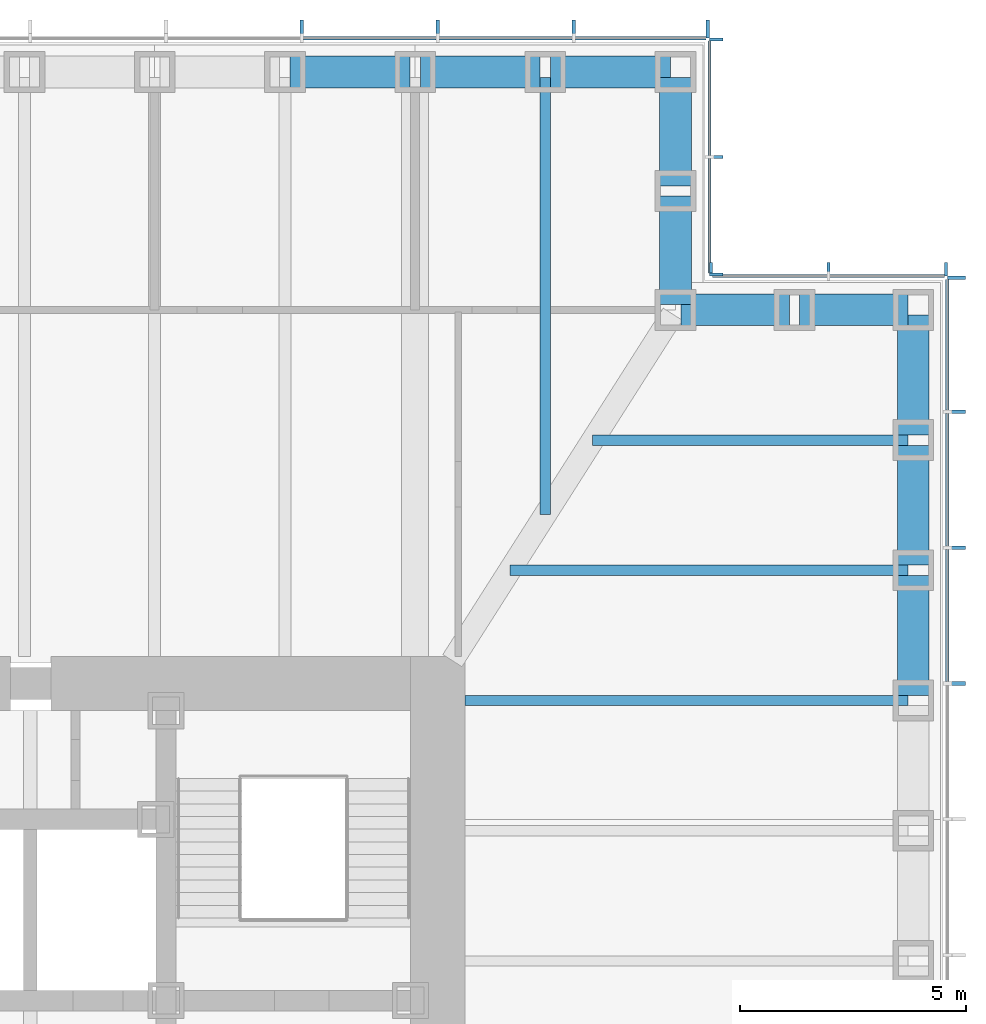
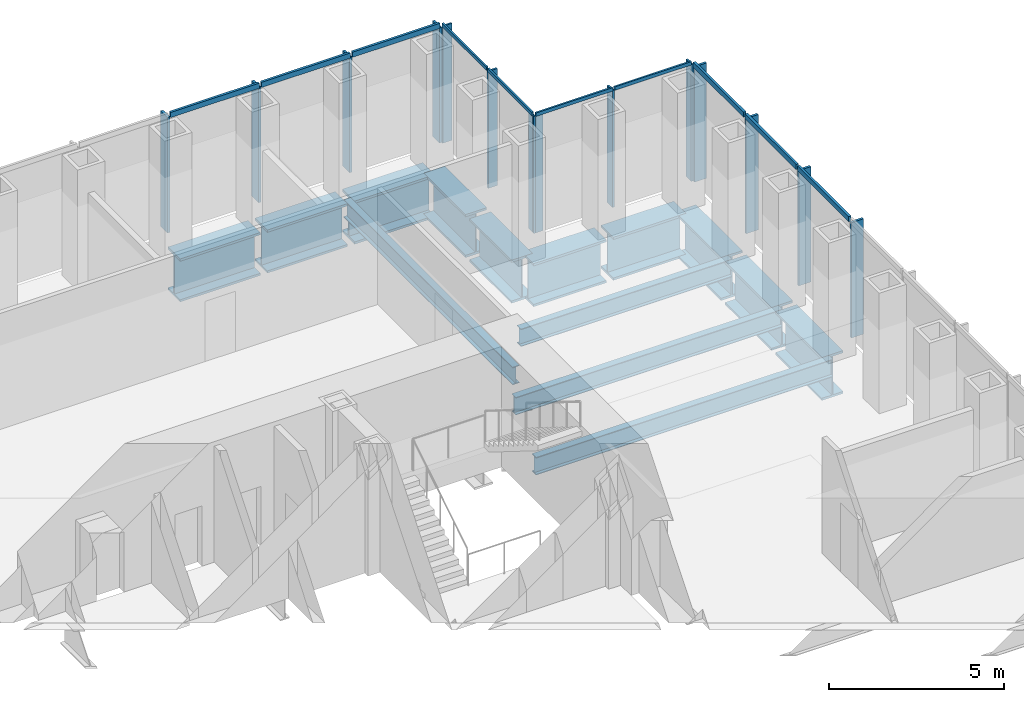
# One storey, part 6 of 17: 24 members, 14 beams, 4 elements without a shape of their own.
"""IFC4 building model written with IfcOpenShell, lengths in metres."""

from ifc_helpers import new_model, si_unit, direction, frame, origin, origin_2d, place, context, subcontext, project, spatial, rectangle, i_section, extrude, material, material_profile, profile_set, type_object, element, aggregate, save


model = new_model("IFC4")

# Units and contexts
model_context = context("Model", 3, precision=1e-05, world=origin(), true_north=direction((0.0, 1.0)))
body_context = subcontext(model_context, "Body", "Model", "MODEL_VIEW")
ifc_project = project(units=[si_unit("LENGTHUNIT", "METRE"), si_unit("AREAUNIT", "SQUARE_METRE"), si_unit("VOLUMEUNIT", "CUBIC_METRE"), si_unit("PLANEANGLEUNIT", "RADIAN"), si_unit("MASSUNIT", "GRAM", prefix="KILO")], contexts=[model_context])

# Site, building, storey
site_placement = place(None, origin())
site = spatial("IfcSite", under=ifc_project, at=site_placement, CompositionType="ELEMENT")
building_placement = place(site_placement, origin())
building = spatial("IfcBuilding", under=site, at=building_placement, Name="Daluyong Arena Tower", CompositionType="ELEMENT")
storey_placement = place(building_placement, frame((0.0, 0.0, 166.89990234375)))
storey = spatial("IfcBuildingStorey", under=building, at=storey_placement, Name="L37", CompositionType="ELEMENT", Elevation=166.89990234375)

# Curtain wall, members
ifc_material_1 = material(Name="Bronze anodised aluminium and glass", Category="aluminium")
curtain_wall_type_1 = type_object("IfcCurtainWallType", Name="Curtain wall CW2", PredefinedType="USERDEFINED", material=ifc_material_1)
curtain_wall_1_placement = place(storey_placement, origin())
curtain_wall_1 = element("IfcCurtainWall", 1, at=curtain_wall_1_placement, inside=storey, type_object=curtain_wall_type_1, Name="curtain wall L37 E", ObjectType="UNITISED CURTAIN WALL", PredefinedType="USERDEFINED")
ifc_material_2 = material(Name="Bronze anodised aluminium fin", Category="aluminium")
ifc_material_profile_1 = material_profile(ifc_material_2, rectangle(XDim=0.39990234375, YDim=0.080078125, at=origin_2d()))
ifc_profile_set_1 = profile_set([ifc_material_profile_1], Name="Bronze anodised aluminium fin")
member_type_1 = type_object("IfcMemberType", Name="CW2 bronze fin 400x80", PredefinedType="MULLION", material=ifc_profile_set_1)
member_1_placement = place(storey_placement, frame((79.449951171875, 89.0, 0.0), z_axis=(0.0, 0.0, 1.0), x_axis=(-1.0, 0.0, 0.0)))
member_1 = element("IfcMember", 2, at=member_1_placement, type_object=member_type_1, Name="curtain wall L37 E fin 10", PredefinedType="MULLION", context=body_context, shape_type="SweptSolid", body=[
    extrude(rectangle(XDim=0.39990234375, YDim=0.080078125, at=origin_2d()), origin(), (0.0, 0.0, 1.0), 4.02001953125),
])
member_2_placement = place(storey_placement, frame((79.449951171875, 92.0, 0.0), z_axis=(0.0, 0.0, 1.0), x_axis=(-1.0, 0.0, 0.0)))
member_2 = element("IfcMember", 3, at=member_2_placement, type_object=member_type_1, Name="curtain wall L37 E fin 11", PredefinedType="MULLION", context=body_context, shape_type="SweptSolid", body=[
    extrude(rectangle(XDim=0.39990234375, YDim=0.080078125, at=origin_2d()), origin(), (0.0, 0.0, 1.0), 4.02001953125),
])
member_3_placement = place(storey_placement, frame((79.449951171875, 95.0, 0.0), z_axis=(0.0, 0.0, 1.0), x_axis=(-1.0, 0.0, 0.0)))
member_3 = element("IfcMember", 4, at=member_3_placement, type_object=member_type_1, Name="curtain wall L37 E fin 12", PredefinedType="MULLION", context=body_context, shape_type="SweptSolid", body=[
    extrude(rectangle(XDim=0.39990234375, YDim=0.080078125, at=origin_2d()), origin(), (0.0, 0.0, 1.0), 4.02001953125),
])
member_4_placement = place(storey_placement, frame((79.449951171875, 97.9599609375, 0.0), z_axis=(0.0, 0.0, 1.0), x_axis=(-1.0, 0.0, 0.0)))
member_4 = element("IfcMember", 5, at=member_4_placement, type_object=member_type_1, Name="curtain wall L37 E fin 13", PredefinedType="MULLION", context=body_context, shape_type="SweptSolid", body=[
    extrude(rectangle(XDim=0.39990234375, YDim=0.080078125, at=origin_2d()), origin(), (0.0, 0.0, 1.0), 4.02001953125),
])

curtain_wall_2_placement = place(storey_placement, origin())
curtain_wall_2 = element("IfcCurtainWall", 6, at=curtain_wall_2_placement, inside=storey, type_object=curtain_wall_type_1, Name="curtain wall L37 N", ObjectType="UNITISED CURTAIN WALL", PredefinedType="USERDEFINED")
member_5_placement = place(storey_placement, frame((73.9599609375, 103.449951171875, 0.0), z_axis=(0.0, 0.0, 1.0), x_axis=(0.0, -1.0, 0.0)))
member_5 = element("IfcMember", 7, at=member_5_placement, type_object=member_type_1, Name="curtain wall L37 N fin 1", PredefinedType="MULLION", context=body_context, shape_type="SweptSolid", body=[
    extrude(rectangle(XDim=0.39990234375, YDim=0.080078125, at=origin_2d()), origin(), (0.0, 0.0, 1.0), 4.02001953125),
])
member_6_placement = place(storey_placement, frame((71.0, 103.449951171875, 0.0), z_axis=(0.0, 0.0, 1.0), x_axis=(0.0, -1.0, 0.0)))
member_6 = element("IfcMember", 8, at=member_6_placement, type_object=member_type_1, Name="curtain wall L37 N fin 2", PredefinedType="MULLION", context=body_context, shape_type="SweptSolid", body=[
    extrude(rectangle(XDim=0.39990234375, YDim=0.080078125, at=origin_2d()), origin(), (0.0, 0.0, 1.0), 4.02001953125),
])
member_7_placement = place(storey_placement, frame((68.0, 103.449951171875, 0.0), z_axis=(0.0, 0.0, 1.0), x_axis=(0.0, -1.0, 0.0)))
member_7 = element("IfcMember", 9, at=member_7_placement, type_object=member_type_1, Name="curtain wall L37 N fin 3", PredefinedType="MULLION", context=body_context, shape_type="SweptSolid", body=[
    extrude(rectangle(XDim=0.39990234375, YDim=0.080078125, at=origin_2d()), origin(), (0.0, 0.0, 1.0), 4.02001953125),
])
member_8_placement = place(storey_placement, frame((65.0, 103.449951171875, 0.0), z_axis=(0.0, 0.0, 1.0), x_axis=(0.0, -1.0, 0.0)))
member_8 = element("IfcMember", 10, at=member_8_placement, type_object=member_type_1, Name="curtain wall L37 N fin 4", PredefinedType="MULLION", context=body_context, shape_type="SweptSolid", body=[
    extrude(rectangle(XDim=0.39990234375, YDim=0.080078125, at=origin_2d()), origin(), (0.0, 0.0, 1.0), 4.02001953125),
])

# Member
ifc_material_3 = material(Name="Bronze anodised aluminium", Category="aluminium")
ifc_material_profile_2 = material_profile(ifc_material_3, rectangle(XDim=0.080078125, YDim=0.179931640625, at=origin_2d()))
ifc_profile_set_2 = profile_set([ifc_material_profile_2], Name="Bronze anodised aluminium")
member_type_2 = type_object("IfcMemberType", Name="CW2 stack transom 180x80", PredefinedType="USERDEFINED", material=ifc_profile_set_2)
member_9_placement = place(storey_placement, frame((79.25, 89.0400390625, 4.110107421875), z_axis=(0.0, 1.0, 0.0), x_axis=(-1.0, 0.0, 0.0)))
member_9 = element("IfcMember", 11, at=member_9_placement, type_object=member_type_2, Name="curtain wall L37 E transom 10", ObjectType="TRANSOM", PredefinedType="USERDEFINED", context=body_context, shape_type="SweptSolid", body=[
    extrude(rectangle(XDim=0.080078125, YDim=0.179931640625, at=origin_2d()), origin(), (0.0, 0.0, 1.0), 2.919921875),
])

member_10_placement = place(storey_placement, frame((79.25, 92.0400390625, 4.110107421875), z_axis=(0.0, 1.0, 0.0), x_axis=(-1.0, 0.0, 0.0)))
member_10 = element("IfcMember", 12, at=member_10_placement, type_object=member_type_2, Name="curtain wall L37 E transom 11", ObjectType="TRANSOM", PredefinedType="USERDEFINED", context=body_context, shape_type="SweptSolid", body=[
    extrude(rectangle(XDim=0.080078125, YDim=0.179931640625, at=origin_2d()), origin(), (0.0, 0.0, 1.0), 2.919921875),
])

member_11_placement = place(storey_placement, frame((79.25, 95.0400390625, 4.110107421875), z_axis=(0.0, 1.0, 0.0), x_axis=(-1.0, 0.0, 0.0)))
member_11 = element("IfcMember", 13, at=member_11_placement, type_object=member_type_2, Name="curtain wall L37 E transom 12", ObjectType="TRANSOM", PredefinedType="USERDEFINED", context=body_context, shape_type="SweptSolid", body=[
    extrude(rectangle(XDim=0.080078125, YDim=0.179931640625, at=origin_2d()), origin(), (0.0, 0.0, 1.0), 2.8798828125),
])

aggregate(curtain_wall_1, [member_1, member_2, member_3, member_4, member_9, member_10, member_11])

member_12_placement = place(storey_placement, frame((73.919921875, 103.25, 4.110107421875), z_axis=(-1.0, 0.0, 0.0), x_axis=(0.0, -1.0, 0.0)))
member_12 = element("IfcMember", 14, at=member_12_placement, type_object=member_type_2, Name="curtain wall L37 N transom 1", ObjectType="TRANSOM", PredefinedType="USERDEFINED", context=body_context, shape_type="SweptSolid", body=[
    extrude(rectangle(XDim=0.080078125, YDim=0.179931640625, at=origin_2d()), origin(), (0.0, 0.0, 1.0), 2.8798828125),
])

member_13_placement = place(storey_placement, frame((70.9599609375, 103.25, 4.110107421875), z_axis=(-1.0, 0.0, 0.0), x_axis=(0.0, -1.0, 0.0)))
member_13 = element("IfcMember", 15, at=member_13_placement, type_object=member_type_2, Name="curtain wall L37 N transom 2", ObjectType="TRANSOM", PredefinedType="USERDEFINED", context=body_context, shape_type="SweptSolid", body=[
    extrude(rectangle(XDim=0.080078125, YDim=0.179931640625, at=origin_2d()), origin(), (0.0, 0.0, 1.0), 2.919921875),
])

member_14_placement = place(storey_placement, frame((67.9599609375, 103.25, 4.110107421875), z_axis=(-1.0, 0.0, 0.0), x_axis=(0.0, -1.0, 0.0)))
member_14 = element("IfcMember", 16, at=member_14_placement, type_object=member_type_2, Name="curtain wall L37 N transom 3", ObjectType="TRANSOM", PredefinedType="USERDEFINED", context=body_context, shape_type="SweptSolid", body=[
    extrude(rectangle(XDim=0.080078125, YDim=0.179931640625, at=origin_2d()), origin(), (0.0, 0.0, 1.0), 2.919921875),
])

aggregate(curtain_wall_2, [member_5, member_6, member_7, member_8, member_12, member_13, member_14])

# Curtain wall, members
ifc_material_4 = material(Name="Bronze anodised aluminium and glass", Category="aluminium")
curtain_wall_type_2 = type_object("IfcCurtainWallType", Name="Curtain wall CW7", PredefinedType="USERDEFINED", material=ifc_material_4)
curtain_wall_3_placement = place(storey_placement, origin())
curtain_wall_3 = element("IfcCurtainWall", 17, at=curtain_wall_3_placement, inside=storey, type_object=curtain_wall_type_2, Name="curtain wall L37 NE-N", ObjectType="UNITISED CURTAIN WALL", PredefinedType="USERDEFINED")
ifc_material_5 = material(Name="Bronze anodised aluminium fin", Category="aluminium")
ifc_material_profile_3 = material_profile(ifc_material_5, rectangle(XDim=0.300048828125, YDim=0.06005859375, at=origin_2d()))
ifc_profile_set_3 = profile_set([ifc_material_profile_3], Name="Bronze anodised aluminium fin")
member_type_3 = type_object("IfcMemberType", Name="CW7 bronze fin 300x60", PredefinedType="MULLION", material=ifc_profile_set_3)
member_15_placement = place(storey_placement, frame((79.219970703125, 98.14990234375, 0.0), z_axis=(0.0, 0.0, 1.0), x_axis=(0.0, -1.0, 0.0)))
member_15 = element("IfcMember", 18, at=member_15_placement, type_object=member_type_3, Name="curtain wall L37 NE-N fin 1", PredefinedType="MULLION", context=body_context, shape_type="SweptSolid", body=[
    extrude(rectangle(XDim=0.300048828125, YDim=0.06005859375, at=origin_2d()), origin(), (0.0, 0.0, 1.0), 4.080078125),
])
member_16_placement = place(storey_placement, frame((76.625, 98.14990234375, 0.0), z_axis=(0.0, 0.0, 1.0), x_axis=(0.0, -1.0, 0.0)))
member_16 = element("IfcMember", 19, at=member_16_placement, type_object=member_type_3, Name="curtain wall L37 NE-N fin 2", PredefinedType="MULLION", context=body_context, shape_type="SweptSolid", body=[
    extrude(rectangle(XDim=0.300048828125, YDim=0.06005859375, at=origin_2d()), origin(), (0.0, 0.0, 1.0), 4.080078125),
])
member_17_placement = place(storey_placement, frame((74.030029296875, 98.14990234375, 0.0), z_axis=(0.0, 0.0, 1.0), x_axis=(0.0, -1.0, 0.0)))
member_17 = element("IfcMember", 20, at=member_17_placement, type_object=member_type_3, Name="curtain wall L37 NE-N fin 3", PredefinedType="MULLION", context=body_context, shape_type="SweptSolid", body=[
    extrude(rectangle(XDim=0.300048828125, YDim=0.06005859375, at=origin_2d()), origin(), (0.0, 0.0, 1.0), 4.080078125),
])

curtain_wall_4_placement = place(storey_placement, origin())
curtain_wall_4 = element("IfcCurtainWall", 21, at=curtain_wall_4_placement, inside=storey, type_object=curtain_wall_type_2, Name="curtain wall L37 NE-E", ObjectType="UNITISED CURTAIN WALL", PredefinedType="USERDEFINED")
member_18_placement = place(storey_placement, frame((74.14990234375, 98.030029296875, 0.0), z_axis=(0.0, 0.0, 1.0), x_axis=(-1.0, 0.0, 0.0)))
member_18 = element("IfcMember", 22, at=member_18_placement, type_object=member_type_3, Name="curtain wall L37 NE-E fin 1", PredefinedType="MULLION", context=body_context, shape_type="SweptSolid", body=[
    extrude(rectangle(XDim=0.300048828125, YDim=0.06005859375, at=origin_2d()), origin(), (0.0, 0.0, 1.0), 4.080078125),
])
member_19_placement = place(storey_placement, frame((74.14990234375, 100.625, 0.0), z_axis=(0.0, 0.0, 1.0), x_axis=(-1.0, 0.0, 0.0)))
member_19 = element("IfcMember", 23, at=member_19_placement, type_object=member_type_3, Name="curtain wall L37 NE-E fin 2", PredefinedType="MULLION", context=body_context, shape_type="SweptSolid", body=[
    extrude(rectangle(XDim=0.300048828125, YDim=0.06005859375, at=origin_2d()), origin(), (0.0, 0.0, 1.0), 4.080078125),
])
member_20_placement = place(storey_placement, frame((74.14990234375, 103.219970703125, 0.0), z_axis=(0.0, 0.0, 1.0), x_axis=(-1.0, 0.0, 0.0)))
member_20 = element("IfcMember", 24, at=member_20_placement, type_object=member_type_3, Name="curtain wall L37 NE-E fin 3", PredefinedType="MULLION", context=body_context, shape_type="SweptSolid", body=[
    extrude(rectangle(XDim=0.300048828125, YDim=0.06005859375, at=origin_2d()), origin(), (0.0, 0.0, 1.0), 4.080078125),
])

# Member
ifc_material_6 = material(Name="Bronze anodised aluminium", Category="aluminium")
ifc_material_profile_4 = material_profile(ifc_material_6, rectangle(XDim=0.06005859375, YDim=0.1201171875, at=origin_2d()))
ifc_profile_set_4 = profile_set([ifc_material_profile_4], Name="Bronze anodised aluminium")
member_type_4 = type_object("IfcMemberType", Name="CW7 stack transom 120x60", PredefinedType="USERDEFINED", material=ifc_profile_set_4)
member_21_placement = place(storey_placement, frame((79.18994140625, 98.0, 4.14013671875), z_axis=(-1.0, 0.0, 0.0), x_axis=(0.0, -1.0, 0.0)))
member_21 = element("IfcMember", 25, at=member_21_placement, type_object=member_type_4, Name="curtain wall L37 NE-N transom 1", ObjectType="TRANSOM", PredefinedType="USERDEFINED", context=body_context, shape_type="SweptSolid", body=[
    extrude(rectangle(XDim=0.06005859375, YDim=0.1201171875, at=origin_2d()), origin(), (0.0, 0.0, 1.0), 2.534912109375),
])

member_22_placement = place(storey_placement, frame((76.594970703125, 98.0, 4.14013671875), z_axis=(-1.0, 0.0, 0.0), x_axis=(0.0, -1.0, 0.0)))
member_22 = element("IfcMember", 26, at=member_22_placement, type_object=member_type_4, Name="curtain wall L37 NE-N transom 2", ObjectType="TRANSOM", PredefinedType="USERDEFINED", context=body_context, shape_type="SweptSolid", body=[
    extrude(rectangle(XDim=0.06005859375, YDim=0.1201171875, at=origin_2d()), origin(), (0.0, 0.0, 1.0), 2.534912109375),
])

aggregate(curtain_wall_3, [member_15, member_16, member_17, member_21, member_22])

member_23_placement = place(storey_placement, frame((74.0, 98.06005859375, 4.14013671875), z_axis=(0.0, 1.0, 0.0), x_axis=(-1.0, 0.0, 0.0)))
member_23 = element("IfcMember", 27, at=member_23_placement, type_object=member_type_4, Name="curtain wall L37 NE-E transom 1", ObjectType="TRANSOM", PredefinedType="USERDEFINED", context=body_context, shape_type="SweptSolid", body=[
    extrude(rectangle(XDim=0.06005859375, YDim=0.1201171875, at=origin_2d()), origin(), (0.0, 0.0, 1.0), 2.534912109375),
])

member_24_placement = place(storey_placement, frame((74.0, 100.655029296875, 4.14013671875), z_axis=(0.0, 1.0, 0.0), x_axis=(-1.0, 0.0, 0.0)))
member_24 = element("IfcMember", 28, at=member_24_placement, type_object=member_type_4, Name="curtain wall L37 NE-E transom 2", ObjectType="TRANSOM", PredefinedType="USERDEFINED", context=body_context, shape_type="SweptSolid", body=[
    extrude(rectangle(XDim=0.06005859375, YDim=0.1201171875, at=origin_2d()), origin(), (0.0, 0.0, 1.0), 2.534912109375),
])

aggregate(curtain_wall_4, [member_18, member_19, member_20, member_23, member_24])

# Beams
ifc_material_7 = material(Name="Steel ASTM A992 Grade 50", Category="steel")
ifc_material_profile_5 = material_profile(ifc_material_7, i_section(OverallWidth=0.22900390625, OverallDepth=0.612060546875, WebThickness=0.011962890625, FlangeThickness=0.01953125, at=origin_2d()))
ifc_profile_set_5 = profile_set([ifc_material_profile_5], Name="Steel ASTM A992 Grade 50")
beam_type_1 = type_object("IfcBeamType", Name="Floor beam W24X84", PredefinedType="BEAM", material=ifc_profile_set_5)
beam_1_placement = place(storey_placement, frame((78.385009765625, 88.625, -0.466064453125), z_axis=(-1.0, 0.0, 0.0), x_axis=(0.0, -1.0, 0.0)))
element("IfcBeam", 29, at=beam_1_placement, inside=storey, type_object=beam_type_1, Name="floor beam FB3", PredefinedType="BEAM", context=body_context, shape_type="SweptSolid", body=[
    extrude(i_section(OverallWidth=0.22900390625, OverallDepth=0.612060546875, WebThickness=0.011962890625, FlangeThickness=0.01953125, at=origin_2d()), origin(), (0.0, 0.0, 1.0), 9.784912109375),
])
beam_2_placement = place(storey_placement, frame((78.385009765625, 91.5, -0.466064453125), z_axis=(-1.0, 0.0, 0.0), x_axis=(0.0, -1.0, 0.0)))
element("IfcBeam", 30, at=beam_2_placement, inside=storey, type_object=beam_type_1, Name="floor beam FB3", PredefinedType="BEAM", context=body_context, shape_type="SweptSolid", body=[
    extrude(i_section(OverallWidth=0.22900390625, OverallDepth=0.612060546875, WebThickness=0.011962890625, FlangeThickness=0.01953125, at=origin_2d()), origin(), (0.0, 0.0, 1.0), 8.794189453125),
])
beam_3_placement = place(storey_placement, frame((78.385009765625, 94.375, -0.466064453125), z_axis=(-1.0, 0.0, 0.0), x_axis=(0.0, -1.0, 0.0)))
element("IfcBeam", 31, at=beam_3_placement, inside=storey, type_object=beam_type_1, Name="floor beam FB3", PredefinedType="BEAM", context=body_context, shape_type="SweptSolid", body=[
    extrude(i_section(OverallWidth=0.22900390625, OverallDepth=0.612060546875, WebThickness=0.011962890625, FlangeThickness=0.01953125, at=origin_2d()), origin(), (0.0, 0.0, 1.0), 6.964599609375),
])
beam_4_placement = place(storey_placement, frame((70.375, 102.385009765625, -0.466064453125), z_axis=(0.0, -1.0, 0.0), x_axis=(1.0, 0.0, 0.0)))
element("IfcBeam", 32, at=beam_4_placement, inside=storey, type_object=beam_type_1, Name="floor beam FB3", PredefinedType="BEAM", context=body_context, shape_type="SweptSolid", body=[
    extrude(i_section(OverallWidth=0.22900390625, OverallDepth=0.612060546875, WebThickness=0.011962890625, FlangeThickness=0.01953125, at=origin_2d()), origin(), (0.0, 0.0, 1.0), 9.65283203125),
])
ifc_material_8 = material(Name="Steel ASTM A572 Grade 50", Category="steel")
ifc_material_profile_6 = material_profile(ifc_material_8, i_section(OverallWidth=0.699951171875, OverallDepth=1.5, WebThickness=0.04, FlangeThickness=0.08, at=origin_2d()))
ifc_profile_set_6 = profile_set([ifc_material_profile_6], Name="Steel ASTM A572 Grade 50")
beam_type_2 = type_object("IfcBeamType", Name="Spandrel Z2 PG1500X700", PredefinedType="SPANDREL", material=ifc_profile_set_6)
for number, where, z_axis, x_axis, name in (
    (33, (78.5, 88.739990234375, -0.909912109375), (0.0, 1.0, 0.0), (-1.0, 0.0, 0.0), "spandrel z2 SB6"),
    (34, (78.5, 91.614990234375, -0.909912109375), (0.0, 1.0, 0.0), (-1.0, 0.0, 0.0), "spandrel z2 SB6"),
    (35, (78.5, 94.489990234375, -0.909912109375), (0.0, 1.0, 0.0), (-1.0, 0.0, 0.0), "spandrel z2 SB6"),
):
    element("IfcBeam", number, at=place(storey_placement, frame(where, z_axis=z_axis, x_axis=x_axis)), inside=storey, type_object=beam_type_2, Name=name, PredefinedType="SPANDREL", context=body_context, shape_type="SweptSolid", body=[
        extrude(i_section(OverallWidth=0.699951171875, OverallDepth=1.5, WebThickness=0.04, FlangeThickness=0.08, at=origin_2d()), origin(), (0.0, 0.0, 1.0), 2.64501953125),
    ])
for number, where, z_axis, x_axis, name in (
    (36, (78.385009765625, 97.25, -0.909912109375), (-1.0, 0.0, 0.0), (0.0, -1.0, 0.0), "spandrel z2 SB6"),
    (37, (75.760009765625, 97.25, -0.909912109375), (-1.0, 0.0, 0.0), (0.0, -1.0, 0.0), "spandrel z2 SB6"),
    (38, (73.25, 97.364990234375, -0.909912109375), (0.0, 1.0, 0.0), (-1.0, 0.0, 0.0), "spandrel z2 SB6"),
    (39, (73.25, 99.989990234375, -0.909912109375), (0.0, 1.0, 0.0), (-1.0, 0.0, 0.0), "spandrel z2 SB6"),
):
    element("IfcBeam", number, at=place(storey_placement, frame(where, z_axis=z_axis, x_axis=x_axis)), inside=storey, type_object=beam_type_2, Name=name, PredefinedType="SPANDREL", context=body_context, shape_type="SweptSolid", body=[
        extrude(i_section(OverallWidth=0.699951171875, OverallDepth=1.5, WebThickness=0.04, FlangeThickness=0.08, at=origin_2d()), origin(), (0.0, 0.0, 1.0), 2.39501953125),
    ])
for number, where, z_axis, x_axis, name in (
    (40, (73.135009765625, 102.5, -0.909912109375), (-1.0, 0.0, 0.0), (0.0, -1.0, 0.0), "spandrel z2 SB6"),
    (41, (70.260009765625, 102.5, -0.909912109375), (-1.0, 0.0, 0.0), (0.0, -1.0, 0.0), "spandrel z2 SB6"),
    (42, (67.385009765625, 102.5, -0.909912109375), (-1.0, 0.0, 0.0), (0.0, -1.0, 0.0), "spandrel z2 SB6"),
):
    element("IfcBeam", number, at=place(storey_placement, frame(where, z_axis=z_axis, x_axis=x_axis)), inside=storey, type_object=beam_type_2, Name=name, PredefinedType="SPANDREL", context=body_context, shape_type="SweptSolid", body=[
        extrude(i_section(OverallWidth=0.699951171875, OverallDepth=1.5, WebThickness=0.04, FlangeThickness=0.08, at=origin_2d()), origin(), (0.0, 0.0, 1.0), 2.64501953125),
    ])

save(model, "model.ifc")
